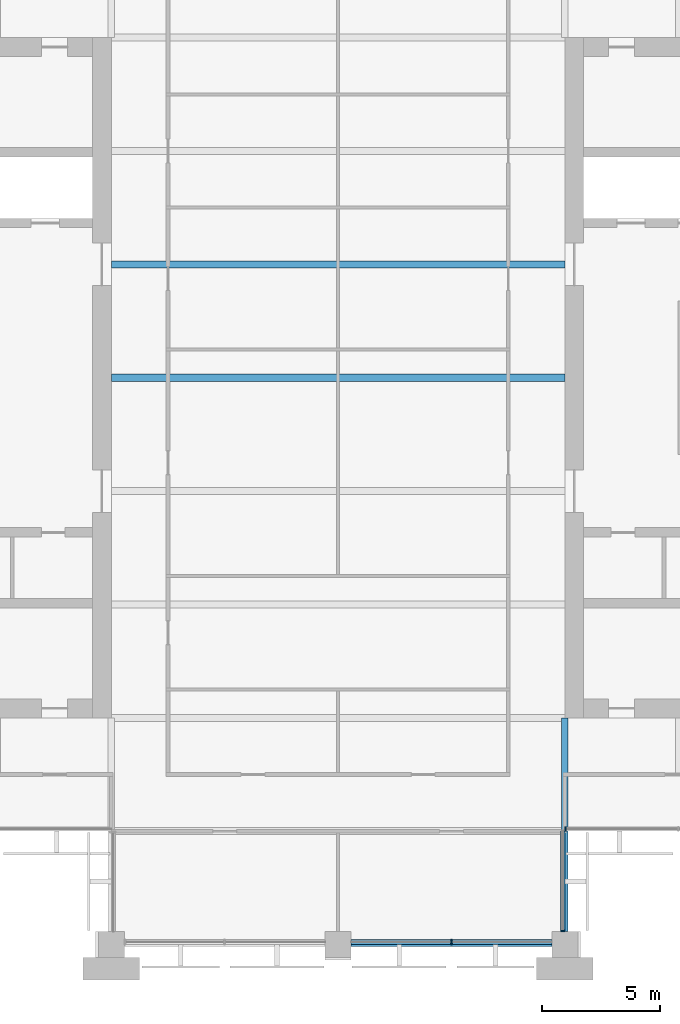
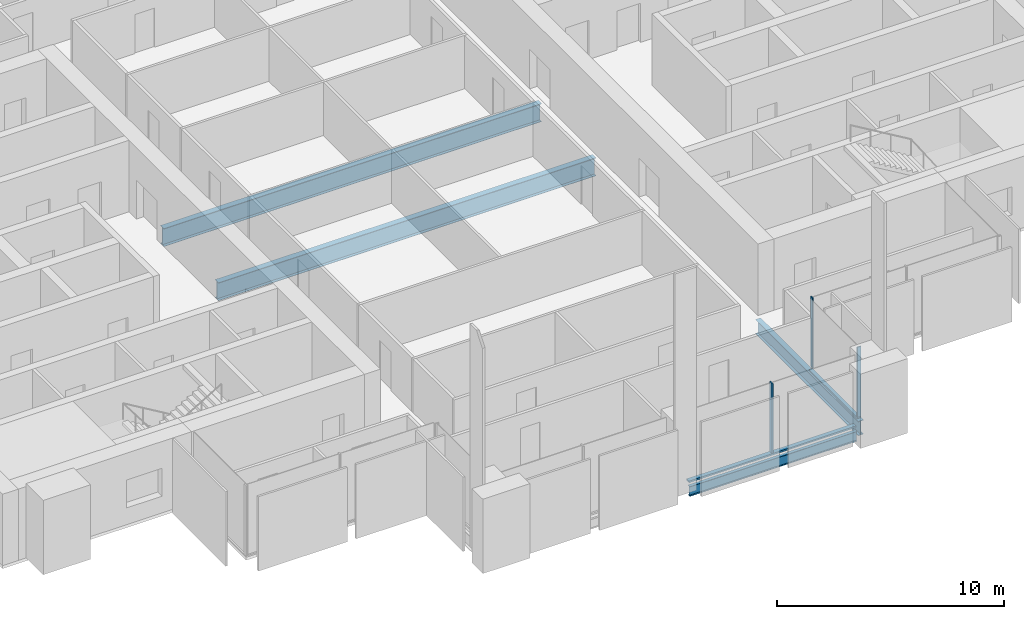
# One storey, part 3 of 13: 5 members, 4 beams, 3 elements without a shape of their own.
"""IFC4 building model written with IfcOpenShell, lengths in metres."""

from ifc_helpers import new_model, si_unit, direction, frame, origin, origin_2d, place, context, subcontext, project, spatial, rectangle, i_section, extrude, material, material_profile, profile_set, type_object, element, aggregate, save


model = new_model("IFC4")

# Units and contexts
model_context = context("Model", 3, precision=1e-05, world=origin(), true_north=direction((0.0, 1.0)))
body_context = subcontext(model_context, "Body", "Model", "MODEL_VIEW")
ifc_project = project(units=[si_unit("LENGTHUNIT", "METRE"), si_unit("AREAUNIT", "SQUARE_METRE"), si_unit("VOLUMEUNIT", "CUBIC_METRE"), si_unit("PLANEANGLEUNIT", "RADIAN"), si_unit("MASSUNIT", "GRAM", prefix="KILO")], contexts=[model_context])

# Site, building, storey
site_placement = place(None, origin())
site = spatial("IfcSite", under=ifc_project, at=site_placement, CompositionType="ELEMENT")
building_placement = place(site_placement, origin())
building = spatial("IfcBuilding", under=site, at=building_placement, Name="Baori Bourse Tower", CompositionType="ELEMENT")
storey_placement = place(building_placement, frame((0.0, 0.0, 201.199951171875)))
storey = spatial("IfcBuildingStorey", under=building, at=storey_placement, Name="L43", CompositionType="ELEMENT", Elevation=201.199951171875)

# Curtain wall, member
ifc_material_1 = material(Name="Pale anodised aluminium", Category="aluminium")
curtain_wall_type_1 = type_object("IfcCurtainWallType", Name="CW2 Curtain wall", PredefinedType="NOTDEFINED", material=ifc_material_1)
curtain_wall_1_placement = place(storey_placement, origin())
curtain_wall_1 = element("IfcCurtainWall", 1, at=curtain_wall_1_placement, inside=storey, type_object=curtain_wall_type_1, Name="Curtain wall CW2 L43 12", PredefinedType="NOTDEFINED")
ifc_material_2 = material(Name="Pale anodised aluminium", Category="aluminium")
ifc_material_profile_1 = material_profile(ifc_material_2, rectangle(XDim=0.179931640625, YDim=0.054931640625, at=origin_2d()), Name="Mullion 55x180")
ifc_profile_set_1 = profile_set([ifc_material_profile_1], Name="Pale anodised aluminium")
member_type_1 = type_object("IfcMemberType", Name="CW2 Curtain wall mullion", PredefinedType="MULLION", material=ifc_profile_set_1)
member_1_placement = place(storey_placement, frame((38.31005859375, 0.577392578125, 0.070068359375), z_axis=(0.0, 0.0, 1.0), x_axis=(-1.0, 0.0, 0.0)))
member_1 = element("IfcMember", 2, at=member_1_placement, type_object=member_type_1, Name="Curtain wall CW2 mullion", PredefinedType="MULLION", context=body_context, shape_type="SweptSolid", body=[
    extrude(rectangle(XDim=0.179931640625, YDim=0.054931640625, at=origin_2d()), origin(), (0.0, 0.0, 1.0), 3.77001953125),
])

curtain_wall_2_placement = place(storey_placement, origin())
curtain_wall_2 = element("IfcCurtainWall", 3, at=curtain_wall_2_placement, inside=storey, type_object=curtain_wall_type_1, Name="Curtain wall CW2 L43 13", PredefinedType="NOTDEFINED")
member_2_placement = place(storey_placement, frame((38.427490234375, 4.889892578125, 0.070068359375), z_axis=(0.0, 0.0, 1.0), x_axis=(0.0, 1.0, 0.0)))
member_2 = element("IfcMember", 4, at=member_2_placement, type_object=member_type_1, Name="Curtain wall CW2 mullion", PredefinedType="MULLION", context=body_context, shape_type="SweptSolid", body=[
    extrude(rectangle(XDim=0.179931640625, YDim=0.054931640625, at=origin_2d()), origin(), (0.0, 0.0, 1.0), 3.77001953125),
])
aggregate(curtain_wall_2, [member_2])

# Member
ifc_material_3 = material(Name="Pale anodised aluminium", Category="aluminium")
ifc_material_profile_2 = material_profile(ifc_material_3, rectangle(XDim=0.179931640625, YDim=0.070068359375, at=origin_2d()), Name="Transom 70x180")
ifc_profile_set_2 = profile_set([ifc_material_profile_2], Name="Pale anodised aluminium")
member_type_2 = type_object("IfcMemberType", Name="CW2 Curtain wall transom", PredefinedType="USERDEFINED", material=ifc_profile_set_2)
member_3_placement = place(storey_placement, frame((38.31005859375, 0.550048828125, 0.03515625), z_axis=(0.0, 1.0, 0.0), x_axis=(-1.0, 0.0, 0.0)))
member_3 = element("IfcMember", 5, at=member_3_placement, type_object=member_type_2, Name="Curtain wall CW2 sill rail", ObjectType="TRANSOM", PredefinedType="USERDEFINED", context=body_context, shape_type="SweptSolid", body=[
    extrude(rectangle(XDim=0.179931640625, YDim=0.070068359375, at=origin_2d()), origin(), (0.0, 0.0, 1.0), 4.25),
])

aggregate(curtain_wall_1, [member_3, member_1])

# Curtain wall, members
ifc_material_4 = material(Name="Pale anodised aluminium", Category="aluminium")
curtain_wall_type_2 = type_object("IfcCurtainWallType", Name="CW5 Curtain wall", PredefinedType="NOTDEFINED", material=ifc_material_4)
curtain_wall_3_placement = place(storey_placement, origin())
curtain_wall_3 = element("IfcCurtainWall", 6, at=curtain_wall_3_placement, inside=storey, type_object=curtain_wall_type_2, Name="Curtain wall CW5 L43 11", PredefinedType="NOTDEFINED")
ifc_material_5 = material(Name="Pale anodised aluminium", Category="aluminium")
ifc_material_profile_3 = material_profile(ifc_material_5, rectangle(XDim=0.219970703125, YDim=0.06494140625, at=origin_2d()), Name="Mullion 65x220")
ifc_profile_set_3 = profile_set([ifc_material_profile_3], Name="Pale anodised aluminium")
member_type_3 = type_object("IfcMemberType", Name="CW5 Curtain wall mullion", PredefinedType="MULLION", material=ifc_profile_set_3)
member_4_placement = place(storey_placement, frame((33.60009765625, 0.110107421875, 0.0849609375), z_axis=(0.0, 0.0, 1.0), x_axis=(0.0, 1.0, 0.0)))
member_4 = element("IfcMember", 7, at=member_4_placement, type_object=member_type_3, Name="Curtain wall CW5 mullion", PredefinedType="MULLION", context=body_context, shape_type="SweptSolid", body=[
    extrude(rectangle(XDim=0.219970703125, YDim=0.06494140625, at=origin_2d()), origin(), (0.0, 0.0, 1.0), 3.755126953125),
])
ifc_material_6 = material(Name="Pale anodised aluminium", Category="aluminium")
ifc_material_profile_4 = material_profile(ifc_material_6, rectangle(XDim=0.219970703125, YDim=0.0849609375, at=origin_2d()), Name="Transom 85x220")
ifc_profile_set_4 = profile_set([ifc_material_profile_4], Name="Pale anodised aluminium")
member_type_4 = type_object("IfcMemberType", Name="CW5 Curtain wall transom", PredefinedType="USERDEFINED", material=ifc_profile_set_4)
member_5_placement = place(storey_placement, frame((29.35009765625, 0.110107421875, 0.04248046875), z_axis=(1.0, 0.0, 0.0), x_axis=(0.0, 1.0, 0.0)))
member_5 = element("IfcMember", 8, at=member_5_placement, type_object=member_type_4, Name="Curtain wall CW5 sill rail", ObjectType="TRANSOM", PredefinedType="USERDEFINED", context=body_context, shape_type="SweptSolid", body=[
    extrude(rectangle(XDim=0.219970703125, YDim=0.0849609375, at=origin_2d()), origin(), (0.0, 0.0, 1.0), 8.5),
])
aggregate(curtain_wall_3, [member_5, member_4])

# Beams
ifc_material_7 = material(Name="Steel A992 Gr 50", Category="steel")
ifc_material_profile_5 = material_profile(ifc_material_7, i_section(OverallWidth=0.1650390625, OverallDepth=0.52587890625, WebThickness=0.0087890625, FlangeThickness=0.011474609375, at=origin_2d()), Name="W21x44")
ifc_profile_set_5 = profile_set([ifc_material_profile_5], Name="Steel A992 Gr 50")
beam_type_1 = type_object("IfcBeamType", Name="Edge beam W21x44", PredefinedType="BEAM", material=ifc_profile_set_5)
beam_1_placement = place(storey_placement, frame((29.35009765625, 0.0, -0.4228515625), z_axis=(1.0, 0.0, 0.0), x_axis=(0.0, 1.0, 0.0)))
element("IfcBeam", 9, at=beam_1_placement, inside=storey, type_object=beam_type_1, Name="Edge beam L43", PredefinedType="BEAM", context=body_context, shape_type="SweptSolid", body=[
    extrude(i_section(OverallWidth=0.1650390625, OverallDepth=0.52587890625, WebThickness=0.0087890625, FlangeThickness=0.011474609375, at=origin_2d()), origin(), (0.0, 0.0, 1.0), 8.5),
])
ifc_material_8 = material(Name="Steel A992 Gr 50", Category="steel")
ifc_material_profile_6 = material_profile(ifc_material_8, i_section(OverallWidth=0.2998046875, OverallDepth=0.97021484375, WebThickness=0.01611328125, FlangeThickness=0.02099609375, at=origin_2d()), Name="W40x149")
ifc_profile_set_6 = profile_set([ifc_material_profile_6], Name="Steel A992 Gr 50")
beam_type_2 = type_object("IfcBeamType", Name="Floor beam W40x149", PredefinedType="BEAM", material=ifc_profile_set_6)
for number, where, z_axis, x_axis, name in (
    (10, (19.199951171875, 24.0, -0.64501953125), (1.0, 0.0, 0.0), (0.0, 1.0, 0.0), "Floor beam L43"),
    (11, (19.199951171875, 28.800048828125, -0.64501953125), (1.0, 0.0, 0.0), (0.0, 1.0, 0.0), "Floor beam L43"),
):
    element("IfcBeam", number, at=place(storey_placement, frame(where, z_axis=z_axis, x_axis=x_axis)), inside=storey, type_object=beam_type_2, Name=name, PredefinedType="BEAM", context=body_context, shape_type="SweptSolid", body=[
        extrude(i_section(OverallWidth=0.2998046875, OverallDepth=0.97021484375, WebThickness=0.01611328125, FlangeThickness=0.02099609375, at=origin_2d()), origin(), (0.0, 0.0, 1.0), 19.199951171875),
    ])
ifc_material_9 = material(Name="Steel A992 Gr 50", Category="steel")
ifc_material_profile_7 = material_profile(ifc_material_9, i_section(OverallWidth=0.2666015625, OverallDepth=0.76953125, WebThickness=0.015625, FlangeThickness=0.025390625, at=origin_2d()), Name="W30x132")
ifc_profile_set_7 = profile_set([ifc_material_profile_7], Name="Steel A992 Gr 50")
beam_type_3 = type_object("IfcBeamType", Name="Girder W30x132", PredefinedType="BEAM", material=ifc_profile_set_7)
beam_2_placement = place(storey_placement, frame((38.39990234375, 0.550048828125, -0.544677734375), z_axis=(0.0, 1.0, 0.0), x_axis=(-1.0, 0.0, 0.0)))
element("IfcBeam", 12, at=beam_2_placement, inside=storey, type_object=beam_type_3, Name="Girder L43", PredefinedType="BEAM", context=body_context, shape_type="SweptSolid", body=[
    extrude(i_section(OverallWidth=0.2666015625, OverallDepth=0.76953125, WebThickness=0.015625, FlangeThickness=0.025390625, at=origin_2d()), origin(), (0.0, 0.0, 1.0), 9.050048828125),
])

save(model, "model.ifc")
